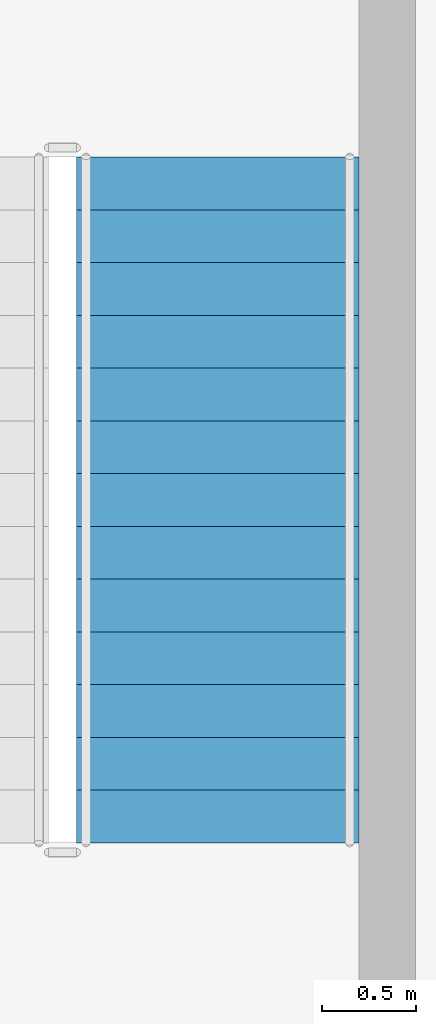
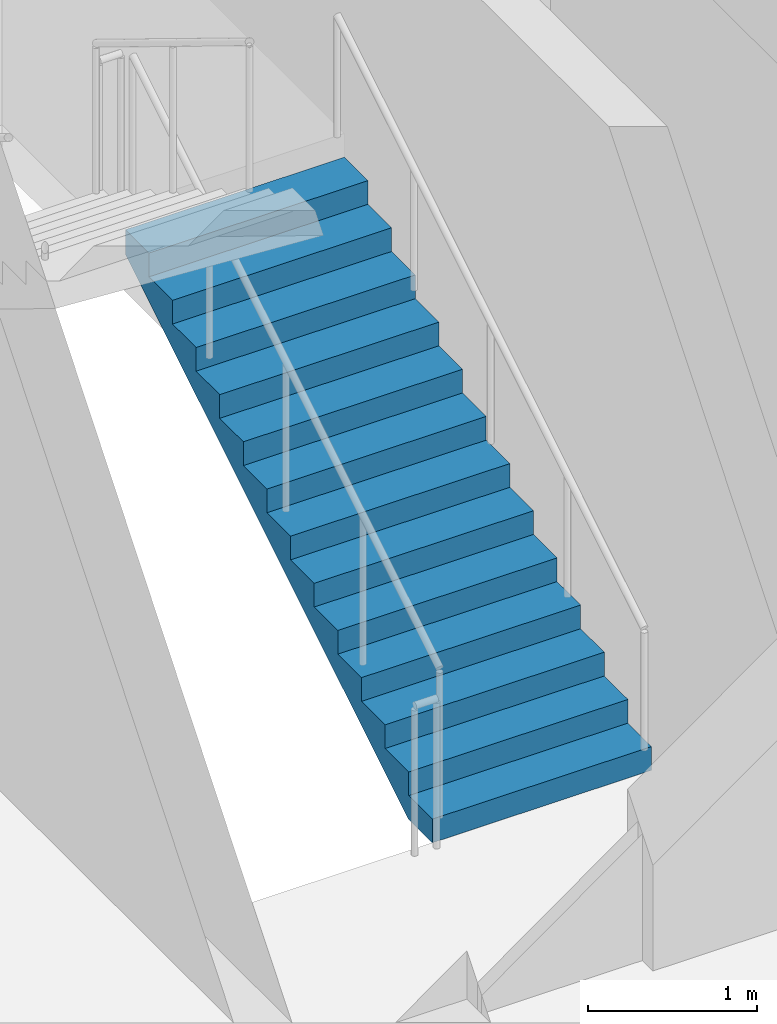
# One storey, part 7 of 11: 1 stair flight, 1 element without a shape of its own.
"""IFC4 building model written with IfcOpenShell, lengths in metres."""

from ifc_helpers import new_model, si_unit, derived_unit, direction, frame, origin, place, context, subcontext, project, spatial, polyline, outline, extrude, material, type_object, element, aggregate, save


model = new_model("IFC4")

# Units and contexts
model_context = context("Model", 3, precision=1e-05, world=origin(), true_north=direction((0.0, 1.0)))
body_context = subcontext(model_context, "Body", "Model", "MODEL_VIEW")
ifc_project = project(units=[si_unit("LENGTHUNIT", "METRE"), si_unit("AREAUNIT", "SQUARE_METRE"), si_unit("VOLUMEUNIT", "CUBIC_METRE"), si_unit("PLANEANGLEUNIT", "RADIAN"), si_unit("MASSUNIT", "GRAM", prefix="KILO"), derived_unit("THERMALTRANSMITTANCEUNIT", [(si_unit("MASSUNIT", "GRAM", prefix="KILO"), 1), (si_unit("TIMEUNIT", "SECOND"), -3), (si_unit("THERMODYNAMICTEMPERATUREUNIT", "KELVIN"), -1)])], contexts=[model_context])

# Site, building, storey
site_placement = place(None, origin())
site = spatial("IfcSite", under=ifc_project, at=site_placement, CompositionType="ELEMENT")
building_placement = place(site_placement, origin())
building = spatial("IfcBuilding", under=site, at=building_placement, Name="Korrvale Station Residences", CompositionType="ELEMENT")
storey_placement = place(building_placement, frame((0.0, 0.0, 16.0)))
storey = spatial("IfcBuildingStorey", under=building, at=storey_placement, Name="L03", CompositionType="ELEMENT", Elevation=16.0)

# Stair, stair flight
ifc_material = material(Name="Concrete C50/60", Category="concrete")
stair_type = type_object("IfcStairType", Name="STR-DL-1500-28R-1714", PredefinedType="HALF_TURN_STAIR", material=ifc_material)
stair_placement = place(storey_placement, origin())
stair = element("IfcStair", 1, at=stair_placement, inside=storey, type_object=stair_type, Name="L03 Station Exit Stair 4", PredefinedType="HALF_TURN_STAIR")
stair_flight_type = type_object("IfcStairFlightType", Name="FLT-DL-1500-28R-1714", PredefinedType="STRAIGHT", material=ifc_material)
stair_flight_placement = place(storey_placement, frame((50.89990234375, 35.60009765625, 0.0), z_axis=(0.0, 0.0, 1.0), x_axis=(0.0, 1.0, 0.0)))
stair_flight = element("IfcStairFlight", 2, at=stair_flight_placement, type_object=stair_flight_type, Name="ST-4 flight 1", NumberOfRisers=14, NumberOfTreads=13, PredefinedType="STRAIGHT", RiserHeight=0.171428571, TreadLength=0.28, context=body_context, shape_type="SweptSolid", body=[
    extrude(outline(polyline([(0.0, 0.0), (0.0, 0.17138671875), (0.280029296875, 0.17138671875), (0.280029296875, 0.3427734375), (0.56005859375, 0.3427734375), (0.56005859375, 0.514404296875), (0.840087890625, 0.514404296875), (0.840087890625, 0.685791015625), (1.1201171875, 0.685791015625), (1.1201171875, 0.857177734375), (1.39990234375, 0.857177734375), (1.39990234375, 1.028564453125), (1.679931640625, 1.028564453125), (1.679931640625, 1.199951171875), (1.9599609375, 1.199951171875), (1.9599609375, 1.371337890625), (2.239990234375, 1.371337890625), (2.239990234375, 1.54296875), (2.52001953125, 1.54296875), (2.52001953125, 1.71435546875), (2.800048828125, 1.71435546875), (2.800048828125, 1.8857421875), (3.080078125, 1.8857421875), (3.080078125, 2.05712890625), (3.360107421875, 2.05712890625), (3.360107421875, 2.228515625), (3.639892578125, 2.228515625), (3.639892578125, 2.39990234375), (3.639892578125, 2.052734375), (0.287109375, 0.0), (0.0, 0.0)])), frame((0.0, 0.75, 0.0), z_axis=(0.0, -1.0, 0.0), x_axis=(1.0, 0.0, 0.0)), (0.0, 0.0, 1.0), 1.5),
])
aggregate(stair, [stair_flight])

save(model, "model.ifc")
